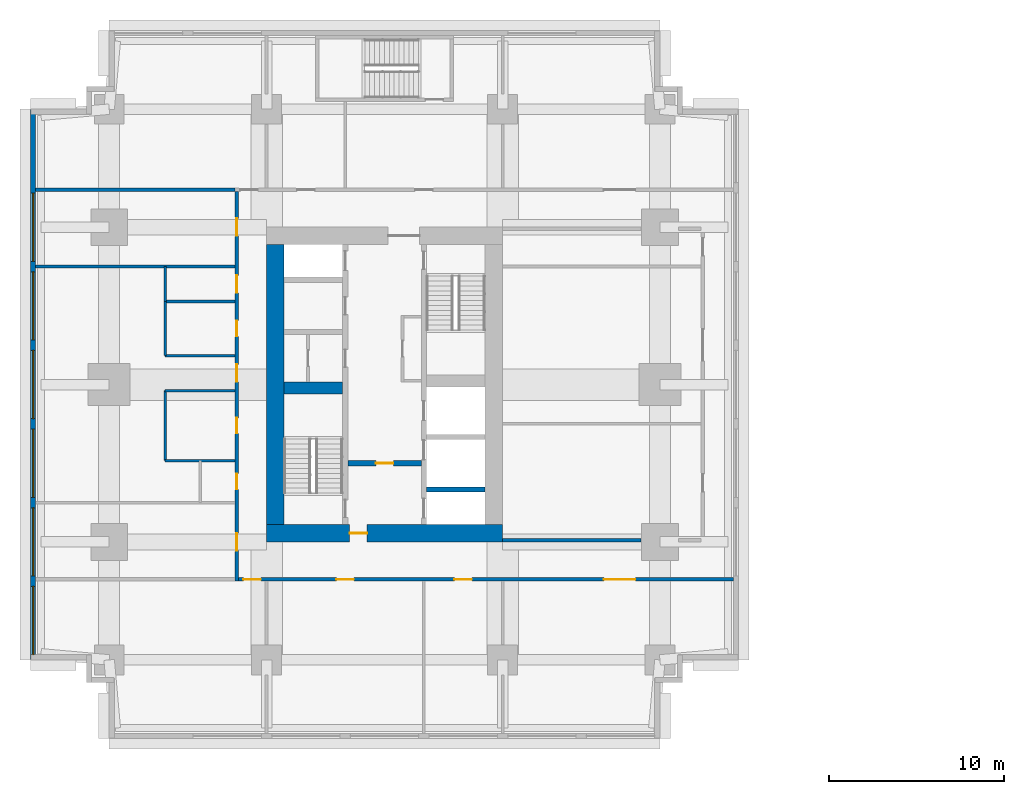
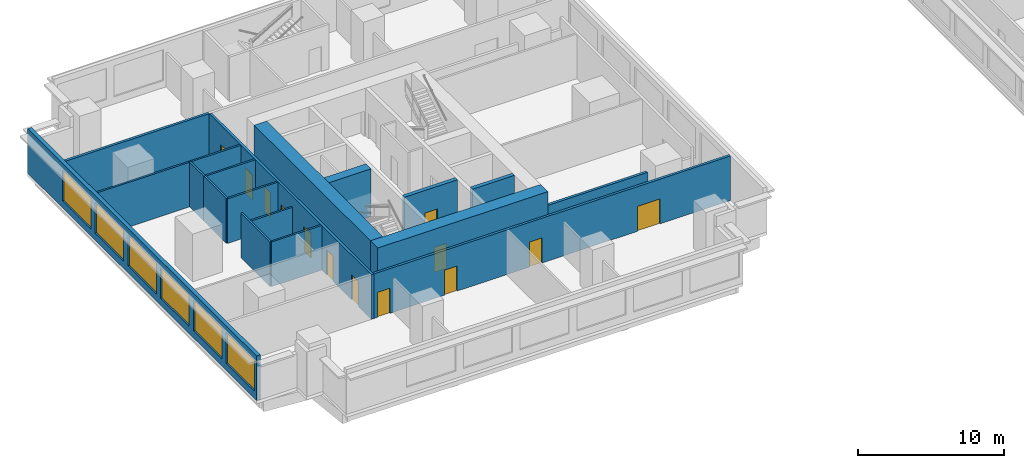
# One storey, part 3 of 10: 18 walls, 13 doors, 6 windows, 19 openings.
"""IFC4 building model written with IfcOpenShell, lengths in metres."""

import ifcopenshell
import ifcopenshell.guid

model = None  # the IFC model being written
_history = None  # IfcOwnerHistory: only IFC2X3 demands one
_inside = {}  # id of a spatial element -> (the spatial element, [elements in it])
_under = {}  # id of a project, library or spatial element -> (it, [spatial elements below it])
_declared = {}  # id of a project -> (the project, [libraries it declares])
_typed = {}  # id of a type object -> (the type object, [elements of that type])
_made_of = {}  # id of a material, layer set ... -> (it, [elements and type objects made of it])


def new_model(schema):
    """Start an empty IFC model of exactly this schema.

    Asked for "IFC4X3", IfcOpenShell would pick the latest addendum, in which some entities
    have other attributes; the version numbers below select the first issue.
    IFC2X3 requires an IfcOwnerHistory on every rooted entity: one is made here for all.
    """
    global model, _history
    if schema == "IFC4X3":
        model = ifcopenshell.file(schema_version=(4, 3, 0, 0))
    else:
        model = ifcopenshell.file(schema=schema)
    _inside.clear()
    _under.clear()
    _declared.clear()
    _typed.clear()
    _made_of.clear()
    _history = None
    if model.schema == "IFC2X3":
        org = make("IfcOrganization", Name="unknown")
        user = make(
            "IfcPersonAndOrganization",
            ThePerson=make("IfcPerson", FamilyName="unknown"),
            TheOrganization=org,
        )
        app = make(
            "IfcApplication",
            ApplicationDeveloper=org,
            Version="unknown",
            ApplicationFullName="unknown",
            ApplicationIdentifier="unknown",
        )
        _history = make(
            "IfcOwnerHistory",
            OwningUser=user,
            OwningApplication=app,
            ChangeAction="ADDED",
            CreationDate=0,
        )
    return model


def make(cls, **values):
    """One entity of the class cls with the attributes given. An attribute that is None is left unset."""
    return model.create_entity(
        cls, **{name: value for name, value in values.items() if value is not None}
    )


def rooted(cls, **values):
    """An entity with a GlobalId (a new one), such as an element, a storey or a relation."""
    return make(cls, GlobalId=ifcopenshell.guid.new(), OwnerHistory=_history, **values)


def si_unit(unit_type, name, prefix=None):
    """IfcSIUnit, for example si_unit("LENGTHUNIT", "METRE", prefix="MILLI")."""
    return make("IfcSIUnit", UnitType=unit_type, Prefix=prefix, Name=name)


def assignment(units):
    """IfcUnitAssignment: the units of a project."""
    return None if units is None else make("IfcUnitAssignment", Units=units)


def point(xyz):
    """IfcCartesianPoint."""
    return None if xyz is None else make("IfcCartesianPoint", Coordinates=xyz)


def direction(xyz):
    """IfcDirection."""
    return None if xyz is None else make("IfcDirection", DirectionRatios=xyz)


def frame(location, z_axis=None, x_axis=None):
    """IfcAxis2Placement3D, a coordinate frame: its origin and axes. An axis left out is left unset."""
    return make(
        "IfcAxis2Placement3D",
        Location=point(location),
        Axis=direction(z_axis),
        RefDirection=direction(x_axis),
    )


def frame_2d(location, x_axis=None):
    """IfcAxis2Placement2D, a coordinate frame in the plane: its origin and x axis."""
    return make(
        "IfcAxis2Placement2D", Location=point(location), RefDirection=direction(x_axis)
    )


def origin():
    """The frame at (0, 0, 0) with its axes left unset."""
    return frame((0.0, 0.0, 0.0))


def place(relative_to, where):
    """IfcLocalPlacement: puts the frame where relative to a parent placement (None: the world)."""
    return make(
        "IfcLocalPlacement", PlacementRelTo=relative_to, RelativePlacement=where
    )


def context(
    kind, dimensions, precision=None, world=None, true_north=None, identifier=None
):
    """IfcGeometricRepresentationContext, for example the 3D "Model" context."""
    return make(
        "IfcGeometricRepresentationContext",
        ContextIdentifier=identifier,
        ContextType=kind,
        CoordinateSpaceDimension=dimensions,
        Precision=precision,
        WorldCoordinateSystem=world,
        TrueNorth=true_north,
    )


def subcontext(parent, identifier, kind, view, scale=None):
    """IfcGeometricRepresentationSubContext, for example "Body" below "Model"."""
    return make(
        "IfcGeometricRepresentationSubContext",
        ContextIdentifier=identifier,
        ContextType=kind,
        ParentContext=parent,
        TargetScale=scale,
        TargetView=view,
    )


def project(units=None, contexts=None):
    """IfcProject with its units and contexts."""
    return rooted(
        "IfcProject",
        Name="project",
        RepresentationContexts=contexts,
        UnitsInContext=assignment(units),
    )


def spatial(cls, under=None, at=None, **own):
    """A site, building, storey or space (cls), placed at a placement, below another one or the project."""
    s = rooted(cls, ObjectPlacement=at, **own)
    if under is not None:
        _under.setdefault(under.id(), (under, []))[1].append(s)
    return s


def profile(cls, at=None, kind="AREA", **sizes):
    """A parametric profile (cls). Its sizes go by their IFC names, for example OverallWidth=200.0."""
    return make(cls, ProfileType=kind, Position=at, **sizes)


def rectangle(**sizes):
    """IfcRectangleProfileDef."""
    return profile("IfcRectangleProfileDef", **sizes)


def extrude(swept, where, along, depth):
    """IfcExtrudedAreaSolid: the profile swept, set in the frame where, extruded along a direction by depth."""
    return make(
        "IfcExtrudedAreaSolid",
        SweptArea=swept,
        Position=where,
        ExtrudedDirection=direction(along),
        Depth=depth,
    )


def shape(context_of_items, identifier, shape_type, items):
    """IfcShapeRepresentation: the items that make up one representation, for example the "Body"."""
    return make(
        "IfcShapeRepresentation",
        ContextOfItems=context_of_items,
        RepresentationIdentifier=identifier,
        RepresentationType=shape_type,
        Items=items,
    )


def material(Name=None, Category=None):
    """IfcMaterial."""
    return make("IfcMaterial", Name=Name, Category=Category)


def layer(
    of_material, thickness, ventilated=None, Name=None, Category=None, Priority=None
):
    """IfcMaterialLayer: one layer of a wall or slab, of a material (None: an air gap)."""
    return make(
        "IfcMaterialLayer",
        Material=of_material,
        LayerThickness=thickness,
        IsVentilated=ventilated,
        Name=Name,
        Category=Category,
        Priority=Priority,
    )


def layer_set(layers, Name=None):
    """IfcMaterialLayerSet."""
    return make("IfcMaterialLayerSet", MaterialLayers=layers, LayerSetName=Name)


def made_of(thing, what):
    """Note that an element or type object is made of a material, layer set ...; save() writes the relation."""
    if what is not None:
        _made_of.setdefault(what.id(), (what, []))[1].append(thing)
    return thing


def type_object(cls, material=None, **own):
    """A type object (cls), such as IfcWallType, which elements share."""
    return made_of(rooted(cls, **own), material)


def element(
    cls,
    number,
    at=None,
    inside=None,
    cuts=None,
    type_object=None,
    material=None,
    context=None,
    identifier="Body",
    shape_type=None,
    held_by="IfcProductDefinitionShape",
    body=None,
    shapes=None,
    **own,
):
    """One element of the class cls, such as IfcWall. Its Tag is "e" and its number.

    at: its placement. inside: the storey or other place that contains it. cuts: it is an
    opening in that element (IfcRelVoidsElement). A single representation is given by context,
    identifier, shape_type and body (its items); several are given by shapes. held_by: the class
    of the entity that holds the representations. save() writes the other relations.
    """
    e = rooted(cls, Tag="e%d" % number, ObjectPlacement=at, **own)
    if body is not None:
        shapes = [shape(context, identifier, shape_type, body)]
    if shapes is not None:
        e.Representation = make(held_by, Representations=shapes)
    if inside is not None:
        _inside.setdefault(inside.id(), (inside, []))[1].append(e)
    if cuts is not None:
        rooted(
            "IfcRelVoidsElement", RelatingBuildingElement=cuts, RelatedOpeningElement=e
        )
    if type_object is not None:
        _typed.setdefault(type_object.id(), (type_object, []))[1].append(e)
    return made_of(e, material)


def fill(opening, filler):
    """IfcRelFillsElement: the door or window that sits in an opening."""
    return rooted(
        "IfcRelFillsElement",
        RelatingOpeningElement=opening,
        RelatedBuildingElement=filler,
    )


def aggregate(whole, parts):
    """IfcRelAggregates: a whole, such as a stair, and the parts it consists of."""
    return rooted("IfcRelAggregates", RelatingObject=whole, RelatedObjects=parts)


def save(model, path):
    """Write the relations noted so far, then the file.

    IfcRelAggregates (storeys below a building ...), IfcRelContainedInSpatialStructure (elements
    in a storey), IfcRelDefinesByType, IfcRelAssociatesMaterial and IfcRelDeclares: one each for
    every whole, place, type object, material and project.
    """
    for whole, parts in _under.values():
        aggregate(whole, parts)
    for where, things in _inside.values():
        rooted(
            "IfcRelContainedInSpatialStructure",
            RelatedElements=things,
            RelatingStructure=where,
        )
    for kind, things in _typed.values():
        rooted("IfcRelDefinesByType", RelatedObjects=things, RelatingType=kind)
    for what, things in _made_of.values():
        rooted("IfcRelAssociatesMaterial", RelatedObjects=things, RelatingMaterial=what)
    for by, libraries in _declared.values():
        rooted("IfcRelDeclares", RelatingContext=by, RelatedDefinitions=libraries)
    model.write(path)


model = new_model("IFC4")

# Units and contexts
model_context = context("Model", 3, precision=1e-05, world=origin(), true_north=direction((0.0, 1.0)))
body_context = subcontext(model_context, "Body", "Model", "MODEL_VIEW")
ifc_project = project(units=[si_unit("LENGTHUNIT", "METRE"), si_unit("AREAUNIT", "SQUARE_METRE"), si_unit("VOLUMEUNIT", "CUBIC_METRE"), si_unit("PLANEANGLEUNIT", "RADIAN"), si_unit("MASSUNIT", "GRAM", prefix="KILO")], contexts=[model_context])

# Site, building, storey
site_placement = place(None, origin())
site = spatial("IfcSite", under=ifc_project, at=site_placement, CompositionType="ELEMENT")
building_placement = place(site_placement, origin())
building = spatial("IfcBuilding", under=site, at=building_placement, Name="Namib Vertical Campus", CompositionType="ELEMENT")
storey_placement = place(building_placement, frame((0.0, 0.0, 145.0)))
storey = spatial("IfcBuildingStorey", under=building, at=storey_placement, Name="L34", CompositionType="ELEMENT", Elevation=145.0)

# Wall, opening, door
ifc_material_1 = material(Name="Concrete C60/75", Category="concrete")
ifc_layer_1 = layer(ifc_material_1, 0.300048828125)
ifc_layer_set_1 = layer_set([ifc_layer_1], Name="Concrete C60/75")
wall_type_1 = type_object("IfcWallType", Name="Core inner wall 300", PredefinedType="SHEAR", material=ifc_layer_set_1)
wall_1_placement = place(storey_placement, frame((18.14990234375, 15.75, 0.0), z_axis=(0.0, 0.0, 1.0), x_axis=(1.0, 0.0, 0.0)))
wall_1 = element("IfcWall", 1, at=wall_1_placement, inside=storey, type_object=wall_type_1, Name="Core inner wall A L34 W4", PredefinedType="SHEAR", context=body_context, shape_type="SweptSolid", body=[
    extrude(rectangle(XDim=4.2001953125, YDim=0.300048828125, at=frame_2d((2.10009765625, 0.0))), origin(), (0.0, 0.0, 1.0), 4.0),
])
opening_1_placement = place(wall_1_placement, frame((1.60009765625, 0.0, 0.0)))
opening_1 = element("IfcOpeningElement", 2, at=opening_1_placement, cuts=wall_1, Name="Opening FD5", PredefinedType="OPENING", context=body_context, shape_type="SweptSolid", body=[
    extrude(rectangle(XDim=1.0, YDim=2.10009765625, at=frame_2d((0.5, 1.050048828125))), frame((0.0, 0.159912109375, 0.0), z_axis=(0.0, -1.0, 0.0), x_axis=(1.0, 0.0, 0.0)), (0.0, 0.0, 1.0), 0.320068359375),
])
ifc_material_2 = material(Name="Steel fire door", Category="steel")
door_type_1 = type_object("IfcDoorType", Name="Fire door 1000x2100 120 min", OperationType="SINGLE_SWING_RIGHT", PredefinedType="DOOR", material=ifc_material_2)
door_1_placement = place(opening_1_placement, frame((1.0, 0.0, 0.0), z_axis=(0.0, 0.0, 1.0), x_axis=(-1.0, 0.0, 0.0)))
door_1 = element("IfcDoor", 3, at=door_1_placement, inside=storey, type_object=door_type_1, Name="Lobby door FD5 A L34", OperationType="SINGLE_SWING_RIGHT", OverallHeight=2.10009765625, OverallWidth=1.0, PredefinedType="DOOR", context=body_context, shape_type="SweptSolid", body=[
    extrude(rectangle(XDim=1.0, YDim=2.10009765625, at=frame_2d((0.5, 1.050048828125))), frame((0.0, 0.02490234375, 0.0), z_axis=(0.0, -1.0, 0.0), x_axis=(1.0, 0.0, 0.0)), (0.0, 0.0, 1.0), 0.050048828125),
])
fill(opening_1, door_1)

# Walls
wall_2_placement = place(storey_placement, frame((22.64990234375, 14.25, 0.0), z_axis=(0.0, 0.0, 1.0), x_axis=(1.0, 0.0, 0.0)))
element("IfcWall", 4, at=wall_2_placement, inside=storey, type_object=wall_type_1, Name="Core inner wall A L34 W5", PredefinedType="SHEAR", context=body_context, shape_type="SweptSolid", body=[
    extrude(rectangle(XDim=3.35009765625, YDim=0.300048828125, at=frame_2d((1.675048828125, 0.0))), origin(), (0.0, 0.0, 1.0), 4.0),
])
ifc_material_3 = material(Name="Concrete C60/75", Category="concrete")
ifc_layer_2 = layer(ifc_material_3, 0.699951171875)
ifc_layer_set_2 = layer_set([ifc_layer_2], Name="Concrete C60/75")
wall_type_2 = type_object("IfcWallType", Name="Core shear wall 700", PredefinedType="SHEAR", material=ifc_layer_set_2)
wall_3_placement = place(storey_placement, frame((14.5, 20.050048828125, 0.0), z_axis=(0.0, 0.0, 1.0), x_axis=(1.0, 0.0, 0.0)))
element("IfcWall", 5, at=wall_3_placement, inside=storey, type_object=wall_type_2, Name="Core shear wall A L34 W3", PredefinedType="SHEAR", context=body_context, shape_type="SweptSolid", body=[
    extrude(rectangle(XDim=3.35009765625, YDim=0.699951171875, at=frame_2d((1.675048828125, 0.0))), origin(), (0.0, 0.0, 1.0), 4.0),
])

# Wall, opening, door
ifc_material_4 = material(Name="Concrete C60/75", Category="concrete")
ifc_layer_3 = layer(ifc_material_4, 1.0)
ifc_layer_set_3 = layer_set([ifc_layer_3], Name="Concrete C60/75")
wall_type_3 = type_object("IfcWallType", Name="Core wall 1000", PredefinedType="SHEAR", material=ifc_layer_set_3)
wall_4_placement = place(storey_placement, frame((13.5, 11.75, 0.0), z_axis=(0.0, 0.0, 1.0), x_axis=(1.0, 0.0, 0.0)))
wall_4 = element("IfcWall", 6, at=wall_4_placement, inside=storey, type_object=wall_type_3, Name="Core wall A L34 1", PredefinedType="SHEAR", context=body_context, shape_type="SweptSolid", body=[
    extrude(rectangle(XDim=13.5, YDim=1.0, at=frame_2d((6.75, 0.0))), origin(), (0.0, 0.0, 1.0), 4.0),
])
opening_2_placement = place(wall_4_placement, frame((4.75, 0.0, 0.0)))
opening_2 = element("IfcOpeningElement", 7, at=opening_2_placement, cuts=wall_4, Name="Opening FD5", PredefinedType="OPENING", context=body_context, shape_type="SweptSolid", body=[
    extrude(rectangle(XDim=1.0, YDim=2.10009765625, at=frame_2d((0.5, 1.050048828125))), frame((0.0, 0.510009765625, 0.0), z_axis=(0.0, -1.0, 0.0), x_axis=(1.0, 0.0, 0.0)), (0.0, 0.0, 1.0), 1.02001953125),
])
door_2_placement = place(opening_2_placement, origin())
door_2 = element("IfcDoor", 8, at=door_2_placement, inside=storey, type_object=door_type_1, Name="Firefighting lobby door FD5 A L34", OperationType="SINGLE_SWING_LEFT", OverallHeight=2.10009765625, OverallWidth=1.0, PredefinedType="DOOR", context=body_context, shape_type="SweptSolid", body=[
    extrude(rectangle(XDim=1.0, YDim=2.10009765625, at=frame_2d((0.5, 1.050048828125))), frame((0.0, 0.02490234375, 0.0), z_axis=(0.0, -1.0, 0.0), x_axis=(1.0, 0.0, 0.0)), (0.0, 0.0, 1.0), 0.050048828125),
])
fill(opening_2, door_2)

# Wall
wall_5_placement = place(storey_placement, frame((14.0, 28.25, 0.0), z_axis=(0.0, 0.0, 1.0), x_axis=(0.0, -1.0, 0.0)))
element("IfcWall", 9, at=wall_5_placement, inside=storey, type_object=wall_type_3, Name="Core wall A L34 4", PredefinedType="SHEAR", context=body_context, shape_type="SweptSolid", body=[
    extrude(rectangle(XDim=16.0, YDim=1.0, at=frame_2d((8.0, 0.0))), origin(), (0.0, 0.0, 1.0), 4.0),
])

# Wall, openings, doors
ifc_material_5 = material(Name="Concrete masonry", Category="masonry")
ifc_layer_4 = layer(ifc_material_5, 0.199951171875)
ifc_layer_set_4 = layer_set([ifc_layer_4], Name="Corridor wall 200")
wall_type_4 = type_object("IfcWallType", Name="Corridor wall 200", PredefinedType="SOLIDWALL", material=ifc_layer_set_4)
wall_6_placement = place(storey_placement, frame((11.89990234375, 9.10009765625, 0.0), z_axis=(0.0, 0.0, 1.0), x_axis=(1.0, 0.0, 0.0)))
wall_6 = element("IfcWall", 10, at=wall_6_placement, inside=storey, type_object=wall_type_4, Name="Corridor wall A L34 CS", PredefinedType="SOLIDWALL", context=body_context, shape_type="SweptSolid", body=[
    extrude(rectangle(XDim=28.300048828125, YDim=0.199951171875, at=frame_2d((14.14990234375, 0.0))), origin(), (0.0, 0.0, 1.0), 3.75),
])
opening_3_placement = place(wall_6_placement, frame((0.27490234375, 0.0, 0.0)))
opening_3 = element("IfcOpeningElement", 11, at=opening_3_placement, cuts=wall_6, Name="Opening CD1", PredefinedType="OPENING", context=body_context, shape_type="SweptSolid", body=[
    extrude(rectangle(XDim=1.0, YDim=2.10009765625, at=frame_2d((0.5, 1.050048828125))), frame((0.0, 0.10986328125, 0.0), z_axis=(0.0, -1.0, 0.0), x_axis=(1.0, 0.0, 0.0)), (0.0, 0.0, 1.0), 0.219970703125),
])
opening_4_placement = place(wall_6_placement, frame((5.60009765625, 0.0, 0.0)))
opening_4 = element("IfcOpeningElement", 12, at=opening_4_placement, cuts=wall_6, Name="Opening CD1", PredefinedType="OPENING", context=body_context, shape_type="SweptSolid", body=[
    extrude(rectangle(XDim=1.0, YDim=2.10009765625, at=frame_2d((0.5, 1.050048828125))), frame((0.0, 0.10986328125, 0.0), z_axis=(0.0, -1.0, 0.0), x_axis=(1.0, 0.0, 0.0)), (0.0, 0.0, 1.0), 0.219970703125),
])
opening_5_placement = place(wall_6_placement, frame((12.35009765625, 0.0, 0.0)))
opening_5 = element("IfcOpeningElement", 13, at=opening_5_placement, cuts=wall_6, Name="Opening CD1", PredefinedType="OPENING", context=body_context, shape_type="SweptSolid", body=[
    extrude(rectangle(XDim=1.0, YDim=2.10009765625, at=frame_2d((0.5, 1.050048828125))), frame((0.0, 0.10986328125, 0.0), z_axis=(0.0, -1.0, 0.0), x_axis=(1.0, 0.0, 0.0)), (0.0, 0.0, 1.0), 0.219970703125),
])
opening_6_placement = place(wall_6_placement, frame((20.89990234375, 0.0, 0.0)))
opening_6 = element("IfcOpeningElement", 14, at=opening_6_placement, cuts=wall_6, Name="Opening CD2", PredefinedType="OPENING", context=body_context, shape_type="SweptSolid", body=[
    extrude(rectangle(XDim=1.800048828125, YDim=2.10009765625, at=frame_2d((0.89990234375, 1.050048828125))), frame((0.0, 0.10986328125, 0.0), z_axis=(0.0, -1.0, 0.0), x_axis=(1.0, 0.0, 0.0)), (0.0, 0.0, 1.0), 0.219970703125),
])
ifc_material_6 = material(Name="Timber fire door leaf", Category="wood")
door_type_2 = type_object("IfcDoorType", Name="Corridor door 1000x2100 20 min", OperationType="SINGLE_SWING_LEFT", PredefinedType="DOOR", material=ifc_material_6)
door_3_placement = place(opening_3_placement, frame((1.0, 0.0, 0.0), z_axis=(0.0, 0.0, 1.0), x_axis=(-1.0, 0.0, 0.0)))
door_3 = element("IfcDoor", 15, at=door_3_placement, inside=storey, type_object=door_type_2, Name="Door CD1 A34-01", OperationType="SINGLE_SWING_LEFT", OverallHeight=2.10009765625, OverallWidth=1.0, PredefinedType="DOOR", context=body_context, shape_type="SweptSolid", body=[
    extrude(rectangle(XDim=1.0, YDim=2.10009765625, at=frame_2d((0.5, 1.050048828125))), frame((0.0, 0.02490234375, 0.0), z_axis=(0.0, -1.0, 0.0), x_axis=(1.0, 0.0, 0.0)), (0.0, 0.0, 1.0), 0.050048828125),
])
fill(opening_3, door_3)
door_4_placement = place(opening_4_placement, frame((1.0, 0.0, 0.0), z_axis=(0.0, 0.0, 1.0), x_axis=(-1.0, 0.0, 0.0)))
door_4 = element("IfcDoor", 16, at=door_4_placement, inside=storey, type_object=door_type_2, Name="Door CD1 A34-02", OperationType="SINGLE_SWING_RIGHT", OverallHeight=2.10009765625, OverallWidth=1.0, PredefinedType="DOOR", context=body_context, shape_type="SweptSolid", body=[
    extrude(rectangle(XDim=1.0, YDim=2.10009765625, at=frame_2d((0.5, 1.050048828125))), frame((0.0, 0.02490234375, 0.0), z_axis=(0.0, -1.0, 0.0), x_axis=(1.0, 0.0, 0.0)), (0.0, 0.0, 1.0), 0.050048828125),
])
fill(opening_4, door_4)
door_5_placement = place(opening_5_placement, frame((1.0, 0.0, 0.0), z_axis=(0.0, 0.0, 1.0), x_axis=(-1.0, 0.0, 0.0)))
door_5 = element("IfcDoor", 17, at=door_5_placement, inside=storey, type_object=door_type_2, Name="Door CD1 A34-03", OperationType="SINGLE_SWING_RIGHT", OverallHeight=2.10009765625, OverallWidth=1.0, PredefinedType="DOOR", context=body_context, shape_type="SweptSolid", body=[
    extrude(rectangle(XDim=1.0, YDim=2.10009765625, at=frame_2d((0.5, 1.050048828125))), frame((0.0, 0.02490234375, 0.0), z_axis=(0.0, -1.0, 0.0), x_axis=(1.0, 0.0, 0.0)), (0.0, 0.0, 1.0), 0.050048828125),
])
fill(opening_5, door_5)
ifc_material_7 = material(Name="Timber fire door leaf", Category="wood")
door_type_3 = type_object("IfcDoorType", Name="Corridor door double 1800x2100 20 min", OperationType="DOUBLE_DOOR_SINGLE_SWING", PredefinedType="DOOR", material=ifc_material_7)
door_6_placement = place(opening_6_placement, frame((1.800048828125, 0.0, 0.0), z_axis=(0.0, 0.0, 1.0), x_axis=(-1.0, 0.0, 0.0)))
door_6 = element("IfcDoor", 18, at=door_6_placement, inside=storey, type_object=door_type_3, Name="Door CD2 A34-04", OperationType="DOUBLE_DOOR_SINGLE_SWING", OverallHeight=2.10009765625, OverallWidth=1.800048828125, PredefinedType="DOOR", context=body_context, shape_type="SweptSolid", body=[
    extrude(rectangle(XDim=1.800048828125, YDim=2.10009765625, at=frame_2d((0.89990234375, 1.050048828125))), frame((0.0, 0.02490234375, 0.0), z_axis=(0.0, -1.0, 0.0), x_axis=(1.0, 0.0, 0.0)), (0.0, 0.0, 1.0), 0.050048828125),
])
fill(opening_6, door_6)

wall_7_placement = place(storey_placement, frame((11.800048828125, 31.300048828125, 0.0), z_axis=(0.0, 0.0, 1.0), x_axis=(0.0, -1.0, 0.0)))
wall_7 = element("IfcWall", 19, at=wall_7_placement, inside=storey, type_object=wall_type_4, Name="Corridor wall A L34 CW", PredefinedType="SOLIDWALL", context=body_context, shape_type="SweptSolid", body=[
    extrude(rectangle(XDim=22.300048828125, YDim=0.199951171875, at=frame_2d((11.14990234375, 0.0))), origin(), (0.0, 0.0, 1.0), 3.75),
])
opening_7_placement = place(wall_7_placement, frame((19.550048828125, 0.0, 0.0)))
opening_7 = element("IfcOpeningElement", 20, at=opening_7_placement, cuts=wall_7, Name="Opening CD1", PredefinedType="OPENING", context=body_context, shape_type="SweptSolid", body=[
    extrude(rectangle(XDim=1.0, YDim=2.10009765625, at=frame_2d((0.5, 1.050048828125))), frame((0.0, 0.10986328125, 0.0), z_axis=(0.0, -1.0, 0.0), x_axis=(1.0, 0.0, 0.0)), (0.0, 0.0, 1.0), 0.219970703125),
])
opening_8_placement = place(wall_7_placement, frame((16.14990234375, 0.0, 0.0)))
opening_8 = element("IfcOpeningElement", 21, at=opening_8_placement, cuts=wall_7, Name="Opening CD3", PredefinedType="OPENING", context=body_context, shape_type="SweptSolid", body=[
    extrude(rectangle(XDim=0.89990234375, YDim=2.10009765625, at=frame_2d((0.449951171875, 1.050048828125))), frame((0.0, 0.10986328125, 0.0), z_axis=(0.0, -1.0, 0.0), x_axis=(1.0, 0.0, 0.0)), (0.0, 0.0, 1.0), 0.219970703125),
])
opening_9_placement = place(wall_7_placement, frame((12.949951171875, 0.0, 0.0)))
opening_9 = element("IfcOpeningElement", 22, at=opening_9_placement, cuts=wall_7, Name="Opening CD3", PredefinedType="OPENING", context=body_context, shape_type="SweptSolid", body=[
    extrude(rectangle(XDim=0.89990234375, YDim=2.10009765625, at=frame_2d((0.449951171875, 1.050048828125))), frame((0.0, 0.10986328125, 0.0), z_axis=(0.0, -1.0, 0.0), x_axis=(1.0, 0.0, 0.0)), (0.0, 0.0, 1.0), 0.219970703125),
])
opening_10_placement = place(wall_7_placement, frame((7.39990234375, 0.0, 0.0)))
opening_10 = element("IfcOpeningElement", 23, at=opening_10_placement, cuts=wall_7, Name="Opening CD3", PredefinedType="OPENING", context=body_context, shape_type="SweptSolid", body=[
    extrude(rectangle(XDim=0.89990234375, YDim=2.10009765625, at=frame_2d((0.449951171875, 1.050048828125))), frame((0.0, 0.10986328125, 0.0), z_axis=(0.0, -1.0, 0.0), x_axis=(1.0, 0.0, 0.0)), (0.0, 0.0, 1.0), 0.219970703125),
])
opening_11_placement = place(wall_7_placement, frame((4.800048828125, 0.0, 0.0)))
opening_11 = element("IfcOpeningElement", 24, at=opening_11_placement, cuts=wall_7, Name="Opening CD1", PredefinedType="OPENING", context=body_context, shape_type="SweptSolid", body=[
    extrude(rectangle(XDim=1.0, YDim=2.10009765625, at=frame_2d((0.5, 1.050048828125))), frame((0.0, 0.10986328125, 0.0), z_axis=(0.0, -1.0, 0.0), x_axis=(1.0, 0.0, 0.0)), (0.0, 0.0, 1.0), 0.219970703125),
])
opening_12_placement = place(wall_7_placement, frame((9.89990234375, 0.0, 0.0)))
opening_12 = element("IfcOpeningElement", 25, at=opening_12_placement, cuts=wall_7, Name="Opening CD1", PredefinedType="OPENING", context=body_context, shape_type="SweptSolid", body=[
    extrude(rectangle(XDim=1.0, YDim=2.10009765625, at=frame_2d((0.5, 1.050048828125))), frame((0.0, 0.10986328125, 0.0), z_axis=(0.0, -1.0, 0.0), x_axis=(1.0, 0.0, 0.0)), (0.0, 0.0, 1.0), 0.219970703125),
])
opening_13_placement = place(wall_7_placement, frame((1.550048828125, 0.0, 0.0)))
opening_13 = element("IfcOpeningElement", 26, at=opening_13_placement, cuts=wall_7, Name="Opening CD1", PredefinedType="OPENING", context=body_context, shape_type="SweptSolid", body=[
    extrude(rectangle(XDim=1.0, YDim=2.10009765625, at=frame_2d((0.5, 1.050048828125))), frame((0.0, 0.10986328125, 0.0), z_axis=(0.0, -1.0, 0.0), x_axis=(1.0, 0.0, 0.0)), (0.0, 0.0, 1.0), 0.219970703125),
])
door_7_placement = place(opening_7_placement, frame((1.0, 0.0, 0.0), z_axis=(0.0, 0.0, 1.0), x_axis=(-1.0, 0.0, 0.0)))
door_7 = element("IfcDoor", 27, at=door_7_placement, inside=storey, type_object=door_type_2, Name="Door CD1 A34-12", OperationType="SINGLE_SWING_RIGHT", OverallHeight=2.10009765625, OverallWidth=1.0, PredefinedType="DOOR", context=body_context, shape_type="SweptSolid", body=[
    extrude(rectangle(XDim=1.0, YDim=2.10009765625, at=frame_2d((0.5, 1.050048828125))), frame((0.0, 0.02490234375, 0.0), z_axis=(0.0, -1.0, 0.0), x_axis=(1.0, 0.0, 0.0)), (0.0, 0.0, 1.0), 0.050048828125),
])
fill(opening_7, door_7)
door_8_placement = place(opening_11_placement, frame((1.0, 0.0, 0.0), z_axis=(0.0, 0.0, 1.0), x_axis=(-1.0, 0.0, 0.0)))
door_8 = element("IfcDoor", 28, at=door_8_placement, inside=storey, type_object=door_type_2, Name="Door CD1 A34-16", OperationType="SINGLE_SWING_RIGHT", OverallHeight=2.10009765625, OverallWidth=1.0, PredefinedType="DOOR", context=body_context, shape_type="SweptSolid", body=[
    extrude(rectangle(XDim=1.0, YDim=2.10009765625, at=frame_2d((0.5, 1.050048828125))), frame((0.0, 0.02490234375, 0.0), z_axis=(0.0, -1.0, 0.0), x_axis=(1.0, 0.0, 0.0)), (0.0, 0.0, 1.0), 0.050048828125),
])
fill(opening_11, door_8)
door_9_placement = place(opening_12_placement, frame((1.0, 0.0, 0.0), z_axis=(0.0, 0.0, 1.0), x_axis=(-1.0, 0.0, 0.0)))
door_9 = element("IfcDoor", 29, at=door_9_placement, inside=storey, type_object=door_type_2, Name="Door CD1 A34-17", OperationType="SINGLE_SWING_RIGHT", OverallHeight=2.10009765625, OverallWidth=1.0, PredefinedType="DOOR", context=body_context, shape_type="SweptSolid", body=[
    extrude(rectangle(XDim=1.0, YDim=2.10009765625, at=frame_2d((0.5, 1.050048828125))), frame((0.0, 0.02490234375, 0.0), z_axis=(0.0, -1.0, 0.0), x_axis=(1.0, 0.0, 0.0)), (0.0, 0.0, 1.0), 0.050048828125),
])
fill(opening_12, door_9)
door_10_placement = place(opening_13_placement, frame((1.0, 0.0, 0.0), z_axis=(0.0, 0.0, 1.0), x_axis=(-1.0, 0.0, 0.0)))
door_10 = element("IfcDoor", 30, at=door_10_placement, inside=storey, type_object=door_type_2, Name="Door CD1 A34-18", OperationType="SINGLE_SWING_RIGHT", OverallHeight=2.10009765625, OverallWidth=1.0, PredefinedType="DOOR", context=body_context, shape_type="SweptSolid", body=[
    extrude(rectangle(XDim=1.0, YDim=2.10009765625, at=frame_2d((0.5, 1.050048828125))), frame((0.0, 0.02490234375, 0.0), z_axis=(0.0, -1.0, 0.0), x_axis=(1.0, 0.0, 0.0)), (0.0, 0.0, 1.0), 0.050048828125),
])
fill(opening_13, door_10)
ifc_material_8 = material(Name="Timber fire door leaf", Category="wood")
door_type_4 = type_object("IfcDoorType", Name="Corridor toilet door 900x2100 20 min", OperationType="SINGLE_SWING_LEFT", PredefinedType="DOOR", material=ifc_material_8)
door_11_placement = place(opening_8_placement, frame((0.89990234375, 0.0, 0.0), z_axis=(0.0, 0.0, 1.0), x_axis=(-1.0, 0.0, 0.0)))
door_11 = element("IfcDoor", 31, at=door_11_placement, inside=storey, type_object=door_type_4, Name="Door CD3 A34-13", OperationType="SINGLE_SWING_RIGHT", OverallHeight=2.10009765625, OverallWidth=0.89990234375, PredefinedType="DOOR", context=body_context, shape_type="SweptSolid", body=[
    extrude(rectangle(XDim=0.89990234375, YDim=2.10009765625, at=frame_2d((0.449951171875, 1.050048828125))), frame((0.0, 0.02490234375, 0.0), z_axis=(0.0, -1.0, 0.0), x_axis=(1.0, 0.0, 0.0)), (0.0, 0.0, 1.0), 0.050048828125),
])
fill(opening_8, door_11)
door_12_placement = place(opening_9_placement, frame((0.89990234375, 0.0, 0.0), z_axis=(0.0, 0.0, 1.0), x_axis=(-1.0, 0.0, 0.0)))
door_12 = element("IfcDoor", 32, at=door_12_placement, inside=storey, type_object=door_type_4, Name="Door CD3 A34-14", OperationType="SINGLE_SWING_RIGHT", OverallHeight=2.10009765625, OverallWidth=0.89990234375, PredefinedType="DOOR", context=body_context, shape_type="SweptSolid", body=[
    extrude(rectangle(XDim=0.89990234375, YDim=2.10009765625, at=frame_2d((0.449951171875, 1.050048828125))), frame((0.0, 0.02490234375, 0.0), z_axis=(0.0, -1.0, 0.0), x_axis=(1.0, 0.0, 0.0)), (0.0, 0.0, 1.0), 0.050048828125),
])
fill(opening_9, door_12)
door_13_placement = place(opening_10_placement, frame((0.89990234375, 0.0, 0.0), z_axis=(0.0, 0.0, 1.0), x_axis=(-1.0, 0.0, 0.0)))
door_13 = element("IfcDoor", 33, at=door_13_placement, inside=storey, type_object=door_type_4, Name="Door CD3 A34-15", OperationType="SINGLE_SWING_RIGHT", OverallHeight=2.10009765625, OverallWidth=0.89990234375, PredefinedType="DOOR", context=body_context, shape_type="SweptSolid", body=[
    extrude(rectangle(XDim=0.89990234375, YDim=2.10009765625, at=frame_2d((0.449951171875, 1.050048828125))), frame((0.0, 0.02490234375, 0.0), z_axis=(0.0, -1.0, 0.0), x_axis=(1.0, 0.0, 0.0)), (0.0, 0.0, 1.0), 0.050048828125),
])
fill(opening_10, door_13)

# Walls
wall_8_placement = place(storey_placement, frame((27.0, 11.35009765625, 0.0), z_axis=(0.0, 0.0, 1.0), x_axis=(1.0, 0.0, 0.0)))
element("IfcWall", 34, at=wall_8_placement, inside=storey, type_object=wall_type_4, Name="Corridor wall A L34 GS", PredefinedType="SOLIDWALL", context=body_context, shape_type="SweptSolid", body=[
    extrude(rectangle(XDim=7.929931640625, YDim=0.199951171875, at=frame_2d((3.96484375, 0.0))), origin(), (0.0, 0.0, 1.0), 2.85009765625),
])
wall_9_placement = place(storey_placement, frame((0.300048828125, 31.39990234375, 0.0), z_axis=(0.0, 0.0, 1.0), x_axis=(1.0, 0.0, 0.0)))
element("IfcWall", 35, at=wall_9_placement, inside=storey, type_object=wall_type_4, Name="Partition A L34 BNW", PredefinedType="SOLIDWALL", context=body_context, shape_type="SweptSolid", body=[
    extrude(rectangle(XDim=11.39990234375, YDim=0.199951171875, at=frame_2d((5.699951171875, 0.0))), origin(), (0.0, 0.0, 1.0), 3.75),
])

# Wall, openings, windows
ifc_material_9 = material(Name="Concrete C40/50", Category="concrete")
ifc_layer_5 = layer(ifc_material_9, 0.300048828125)
ifc_layer_set_5 = layer_set([ifc_layer_5], Name="Concrete C40/50")
wall_type_5 = type_object("IfcWallType", Name="External wall 300 board-marked concrete", PredefinedType="STANDARD", material=ifc_layer_set_5)
wall_10_placement = place(storey_placement, frame((0.14990234375, 35.97998046875, 0.0), z_axis=(0.0, 0.0, 1.0), x_axis=(0.0, -1.0, 0.0)))
wall_10 = element("IfcWall", 36, at=wall_10_placement, inside=storey, type_object=wall_type_5, Name="External wall L34 F16", PredefinedType="STANDARD", context=body_context, shape_type="SweptSolid", body=[
    extrude(rectangle(XDim=31.4599609375, YDim=0.300048828125, at=frame_2d((15.72998046875, 0.0))), origin(), (0.0, 0.0, 1.0), 3.75),
])
opening_14_placement = place(wall_10_placement, frame((27.280029296875, 0.0, 0.60009765625)))
opening_14 = element("IfcOpeningElement", 37, at=opening_14_placement, cuts=wall_10, Name="Opening W2", PredefinedType="OPENING", context=body_context, shape_type="SweptSolid", body=[
    extrude(rectangle(XDim=3.89990234375, YDim=2.60009765625, at=frame_2d((1.949951171875, 1.300048828125))), frame((0.0, 0.159912109375, 0.0), z_axis=(0.0, -1.0, 0.0), x_axis=(1.0, 0.0, 0.0)), (0.0, 0.0, 1.0), 0.320068359375),
])
opening_15_placement = place(wall_10_placement, frame((22.780029296875, 0.0, 0.60009765625)))
opening_15 = element("IfcOpeningElement", 38, at=opening_15_placement, cuts=wall_10, Name="Opening W2", PredefinedType="OPENING", context=body_context, shape_type="SweptSolid", body=[
    extrude(rectangle(XDim=3.89990234375, YDim=2.60009765625, at=frame_2d((1.949951171875, 1.300048828125))), frame((0.0, 0.159912109375, 0.0), z_axis=(0.0, -1.0, 0.0), x_axis=(1.0, 0.0, 0.0)), (0.0, 0.0, 1.0), 0.320068359375),
])
opening_16_placement = place(wall_10_placement, frame((18.280029296875, 0.0, 0.60009765625)))
opening_16 = element("IfcOpeningElement", 39, at=opening_16_placement, cuts=wall_10, Name="Opening W2", PredefinedType="OPENING", context=body_context, shape_type="SweptSolid", body=[
    extrude(rectangle(XDim=3.89990234375, YDim=2.60009765625, at=frame_2d((1.949951171875, 1.300048828125))), frame((0.0, 0.159912109375, 0.0), z_axis=(0.0, -1.0, 0.0), x_axis=(1.0, 0.0, 0.0)), (0.0, 0.0, 1.0), 0.320068359375),
])
opening_17_placement = place(wall_10_placement, frame((13.780029296875, 0.0, 0.60009765625)))
opening_17 = element("IfcOpeningElement", 40, at=opening_17_placement, cuts=wall_10, Name="Opening W2", PredefinedType="OPENING", context=body_context, shape_type="SweptSolid", body=[
    extrude(rectangle(XDim=3.89990234375, YDim=2.60009765625, at=frame_2d((1.949951171875, 1.300048828125))), frame((0.0, 0.159912109375, 0.0), z_axis=(0.0, -1.0, 0.0), x_axis=(1.0, 0.0, 0.0)), (0.0, 0.0, 1.0), 0.320068359375),
])
opening_18_placement = place(wall_10_placement, frame((9.280029296875, 0.0, 0.60009765625)))
opening_18 = element("IfcOpeningElement", 41, at=opening_18_placement, cuts=wall_10, Name="Opening W2", PredefinedType="OPENING", context=body_context, shape_type="SweptSolid", body=[
    extrude(rectangle(XDim=3.89990234375, YDim=2.60009765625, at=frame_2d((1.949951171875, 1.300048828125))), frame((0.0, 0.159912109375, 0.0), z_axis=(0.0, -1.0, 0.0), x_axis=(1.0, 0.0, 0.0)), (0.0, 0.0, 1.0), 0.320068359375),
])
opening_19_placement = place(wall_10_placement, frame((4.780029296875, 0.0, 0.60009765625)))
opening_19 = element("IfcOpeningElement", 42, at=opening_19_placement, cuts=wall_10, Name="Opening W2", PredefinedType="OPENING", context=body_context, shape_type="SweptSolid", body=[
    extrude(rectangle(XDim=3.89990234375, YDim=2.60009765625, at=frame_2d((1.949951171875, 1.300048828125))), frame((0.0, 0.159912109375, 0.0), z_axis=(0.0, -1.0, 0.0), x_axis=(1.0, 0.0, 0.0)), (0.0, 0.0, 1.0), 0.320068359375),
])
ifc_material_10 = material(Name="Dark tinted glass in black aluminium frame", Category="aluminium")
window_type = type_object("IfcWindowType", Name="Ribbon window 3900x2600", PartitioningType="SINGLE_PANEL", PredefinedType="WINDOW", material=ifc_material_10)
window_1_placement = place(opening_14_placement, origin())
window_1 = element("IfcWindow", 43, at=window_1_placement, inside=storey, type_object=window_type, Name="Window W2 L34 F16-1", OverallHeight=2.60009765625, OverallWidth=3.89990234375, PartitioningType="SINGLE_PANEL", PredefinedType="WINDOW", context=body_context, shape_type="SweptSolid", body=[
    extrude(rectangle(XDim=3.89990234375, YDim=2.60009765625, at=frame_2d((1.949951171875, 1.300048828125))), frame((0.0, 0.030029296875, 0.0), z_axis=(0.0, -1.0, 0.0), x_axis=(1.0, 0.0, 0.0)), (0.0, 0.0, 1.0), 0.06005859375),
])
fill(opening_14, window_1)
window_2_placement = place(opening_15_placement, origin())
window_2 = element("IfcWindow", 44, at=window_2_placement, inside=storey, type_object=window_type, Name="Window W2 L34 F16-2", OverallHeight=2.60009765625, OverallWidth=3.89990234375, PartitioningType="SINGLE_PANEL", PredefinedType="WINDOW", context=body_context, shape_type="SweptSolid", body=[
    extrude(rectangle(XDim=3.89990234375, YDim=2.60009765625, at=frame_2d((1.949951171875, 1.300048828125))), frame((0.0, 0.030029296875, 0.0), z_axis=(0.0, -1.0, 0.0), x_axis=(1.0, 0.0, 0.0)), (0.0, 0.0, 1.0), 0.06005859375),
])
fill(opening_15, window_2)
window_3_placement = place(opening_16_placement, origin())
window_3 = element("IfcWindow", 45, at=window_3_placement, inside=storey, type_object=window_type, Name="Window W2 L34 F16-3", OverallHeight=2.60009765625, OverallWidth=3.89990234375, PartitioningType="SINGLE_PANEL", PredefinedType="WINDOW", context=body_context, shape_type="SweptSolid", body=[
    extrude(rectangle(XDim=3.89990234375, YDim=2.60009765625, at=frame_2d((1.949951171875, 1.300048828125))), frame((0.0, 0.030029296875, 0.0), z_axis=(0.0, -1.0, 0.0), x_axis=(1.0, 0.0, 0.0)), (0.0, 0.0, 1.0), 0.06005859375),
])
fill(opening_16, window_3)
window_4_placement = place(opening_17_placement, origin())
window_4 = element("IfcWindow", 46, at=window_4_placement, inside=storey, type_object=window_type, Name="Window W2 L34 F16-4", OverallHeight=2.60009765625, OverallWidth=3.89990234375, PartitioningType="SINGLE_PANEL", PredefinedType="WINDOW", context=body_context, shape_type="SweptSolid", body=[
    extrude(rectangle(XDim=3.89990234375, YDim=2.60009765625, at=frame_2d((1.949951171875, 1.300048828125))), frame((0.0, 0.030029296875, 0.0), z_axis=(0.0, -1.0, 0.0), x_axis=(1.0, 0.0, 0.0)), (0.0, 0.0, 1.0), 0.06005859375),
])
fill(opening_17, window_4)
window_5_placement = place(opening_18_placement, origin())
window_5 = element("IfcWindow", 47, at=window_5_placement, inside=storey, type_object=window_type, Name="Window W2 L34 F16-5", OverallHeight=2.60009765625, OverallWidth=3.89990234375, PartitioningType="SINGLE_PANEL", PredefinedType="WINDOW", context=body_context, shape_type="SweptSolid", body=[
    extrude(rectangle(XDim=3.89990234375, YDim=2.60009765625, at=frame_2d((1.949951171875, 1.300048828125))), frame((0.0, 0.030029296875, 0.0), z_axis=(0.0, -1.0, 0.0), x_axis=(1.0, 0.0, 0.0)), (0.0, 0.0, 1.0), 0.06005859375),
])
fill(opening_18, window_5)
window_6_placement = place(opening_19_placement, origin())
window_6 = element("IfcWindow", 48, at=window_6_placement, inside=storey, type_object=window_type, Name="Window W2 L34 F16-6", OverallHeight=2.60009765625, OverallWidth=3.89990234375, PartitioningType="SINGLE_PANEL", PredefinedType="WINDOW", context=body_context, shape_type="SweptSolid", body=[
    extrude(rectangle(XDim=3.89990234375, YDim=2.60009765625, at=frame_2d((1.949951171875, 1.300048828125))), frame((0.0, 0.030029296875, 0.0), z_axis=(0.0, -1.0, 0.0), x_axis=(1.0, 0.0, 0.0)), (0.0, 0.0, 1.0), 0.06005859375),
])
fill(opening_19, window_6)

# Walls
ifc_material_11 = material(Name="Gypsum board on steel studs", Category="steel")
ifc_layer_6 = layer(ifc_material_11, 0.14990234375)
ifc_layer_set_6 = layer_set([ifc_layer_6], Name="Gypsum board on steel studs")
wall_type_6 = type_object("IfcWallType", Name="Partition 150", PredefinedType="PARTITIONING", material=ifc_layer_set_6)
wall_11_placement = place(storey_placement, frame((0.300048828125, 27.0, 0.0), z_axis=(0.0, 0.0, 1.0), x_axis=(1.0, 0.0, 0.0)))
element("IfcWall", 49, at=wall_11_placement, inside=storey, type_object=wall_type_6, Name="Partition A L34 PW2", PredefinedType="PARTITIONING", context=body_context, shape_type="SweptSolid", body=[
    extrude(rectangle(XDim=11.39990234375, YDim=0.14990234375, at=frame_2d((5.699951171875, 0.0))), origin(), (0.0, 0.0, 1.0), 3.75),
])
wall_12_placement = place(storey_placement, frame((11.699951171875, 15.89990234375, 0.0), z_axis=(0.0, 0.0, 1.0), x_axis=(-1.0, 0.0, 0.0)))
element("IfcWall", 50, at=wall_12_placement, inside=storey, type_object=wall_type_6, Name="Partition A L34 WR1", PredefinedType="PARTITIONING", context=body_context, shape_type="SweptSolid", body=[
    extrude(rectangle(XDim=4.0, YDim=0.14990234375, at=frame_2d((2.0, 0.0))), origin(), (0.0, 0.0, 1.0), 3.75),
])
wall_13_placement = place(storey_placement, frame((11.699951171875, 19.89990234375, 0.0), z_axis=(0.0, 0.0, 1.0), x_axis=(-1.0, 0.0, 0.0)))
element("IfcWall", 51, at=wall_13_placement, inside=storey, type_object=wall_type_6, Name="Partition A L34 WR2", PredefinedType="PARTITIONING", context=body_context, shape_type="SweptSolid", body=[
    extrude(rectangle(XDim=4.0, YDim=0.14990234375, at=frame_2d((2.0, 0.0))), origin(), (0.0, 0.0, 1.0), 2.85009765625),
])
for number, where, z_axis, x_axis, name in (
    (52, (11.699951171875, 21.89990234375, 0.0), (0.0, 0.0, 1.0), (-1.0, 0.0, 0.0), "Partition A L34 WR3"),
    (53, (11.699951171875, 25.0, 0.0), (0.0, 0.0, 1.0), (-1.0, 0.0, 0.0), "Partition A L34 WR4"),
    (54, (7.699951171875, 15.89990234375, 0.0), (0.0, 0.0, 1.0), (0.0, 1.0, 0.0), "Partition A L34 WB2"),
):
    element("IfcWall", number, at=place(storey_placement, frame(where, z_axis=z_axis, x_axis=x_axis)), inside=storey, type_object=wall_type_6, Name=name, PredefinedType="PARTITIONING", context=body_context, shape_type="SweptSolid", body=[
        extrude(rectangle(XDim=4.0, YDim=0.14990234375, at=frame_2d((2.0, 0.0))), origin(), (0.0, 0.0, 1.0), 3.75),
    ])
wall_14_placement = place(storey_placement, frame((7.699951171875, 21.89990234375, 0.0), z_axis=(0.0, 0.0, 1.0), x_axis=(0.0, 1.0, 0.0)))
element("IfcWall", 55, at=wall_14_placement, inside=storey, type_object=wall_type_6, Name="Partition A L34 WB3", PredefinedType="PARTITIONING", context=body_context, shape_type="SweptSolid", body=[
    extrude(rectangle(XDim=3.10009765625, YDim=0.14990234375, at=frame_2d((1.550048828125, 0.0))), origin(), (0.0, 0.0, 1.0), 3.75),
])
wall_15_placement = place(storey_placement, frame((7.699951171875, 25.0, 0.0), z_axis=(0.0, 0.0, 1.0), x_axis=(0.0, 1.0, 0.0)))
element("IfcWall", 56, at=wall_15_placement, inside=storey, type_object=wall_type_6, Name="Partition A L34 WB4", PredefinedType="PARTITIONING", context=body_context, shape_type="SweptSolid", body=[
    extrude(rectangle(XDim=2.0, YDim=0.14990234375, at=frame_2d((1.0, 0.0))), origin(), (0.0, 0.0, 1.0), 3.75),
])

save(model, "model.ifc")
